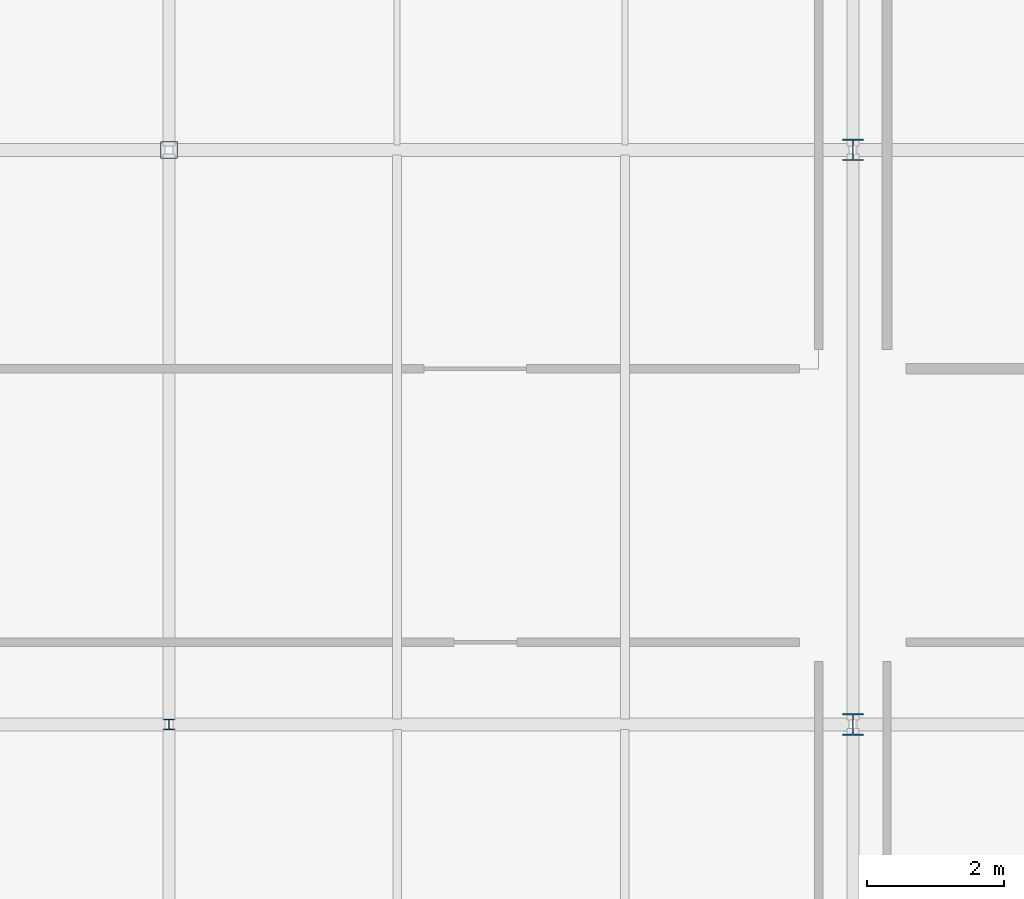
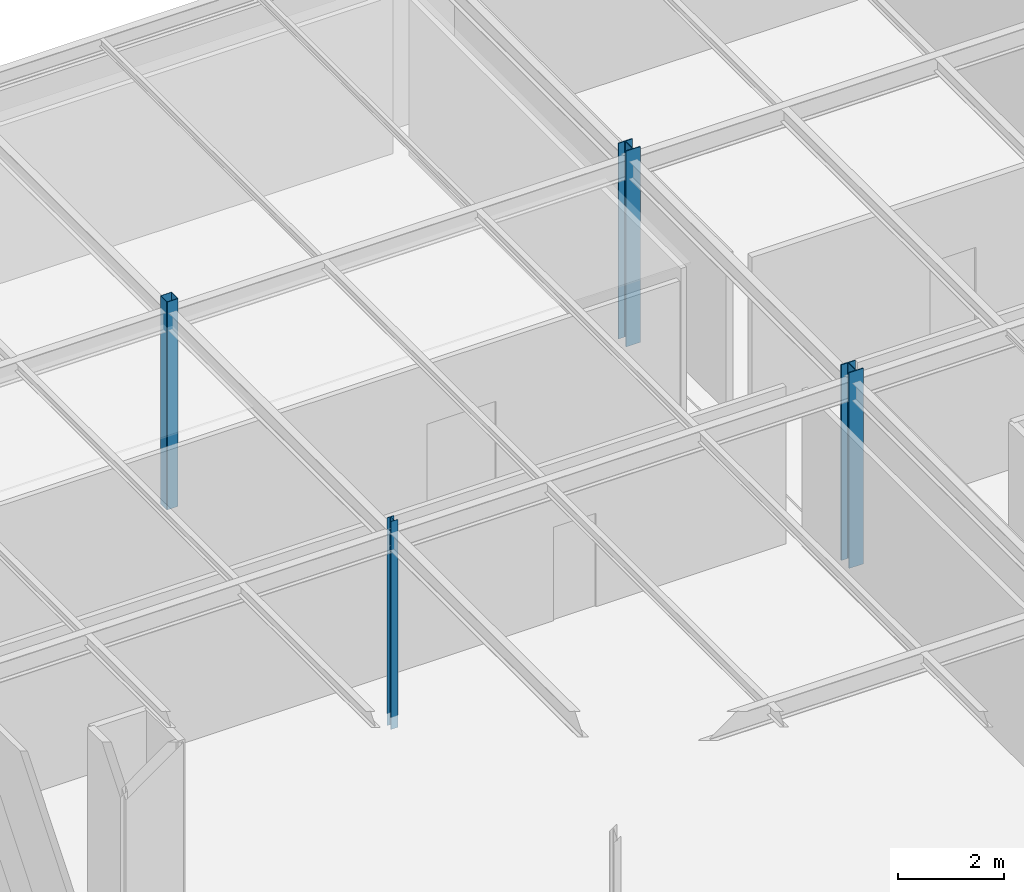
# One storey, part 21 of 119: 4 columns.
"""IFC4 building model written with IfcOpenShell, lengths in metres."""

from ifc_helpers import new_model, si_unit, derived_unit, direction, frame, origin, origin_2d_with_axis, place, context, subcontext, project, spatial, hollow_rectangle, i_section, extrude, material, material_profile, profile_set, type_object, element, save


model = new_model("IFC4")

# Units and contexts
model_context = context("Model", 3, precision=1e-05, world=origin(), true_north=direction((0.0, 1.0)))
body_context = subcontext(model_context, "Body", "Model", "MODEL_VIEW")
ifc_project = project(units=[si_unit("LENGTHUNIT", "METRE"), si_unit("AREAUNIT", "SQUARE_METRE"), si_unit("VOLUMEUNIT", "CUBIC_METRE"), si_unit("PLANEANGLEUNIT", "RADIAN"), si_unit("MASSUNIT", "GRAM", prefix="KILO"), derived_unit("THERMALTRANSMITTANCEUNIT", [(si_unit("POWERUNIT", "WATT"), 1), (si_unit("LENGTHUNIT", "METRE"), -2), (si_unit("THERMODYNAMICTEMPERATUREUNIT", "KELVIN"), -1)])], contexts=[model_context])

# Site, building, storey
site_placement = place(None, origin())
site = spatial("IfcSite", under=ifc_project, at=site_placement, CompositionType="ELEMENT")
building_placement = place(site_placement, origin())
building = spatial("IfcBuilding", under=site, at=building_placement, Name="Cinnabar Yard Market Hall", CompositionType="ELEMENT")
storey_placement = place(building_placement, origin())
storey = spatial("IfcBuildingStorey", under=building, at=storey_placement, Name="L00", CompositionType="ELEMENT", Elevation=0.0)

# Columns
ifc_material_1 = material(Name="Steel Grade 350 (350 MPa)", Category="steel")
ifc_material_profile_1 = material_profile(ifc_material_1, i_section(OverallWidth=0.30908203125, OverallDepth=0.320556640625, WebThickness=0.013916015625, FlangeThickness=0.021728515625, FilletRadius=0.0166015625, at=origin_2d_with_axis()), Name="310UC137")
ifc_profile_set_1 = profile_set([ifc_material_profile_1], Name="Steel Grade 350 (350 MPa)")
column_type_1 = type_object("IfcColumnType", Name="COL-C07", PredefinedType="COLUMN", material=ifc_profile_set_1)
column_1_placement = place(storey_placement, frame((86.0, 121.199951171875, 0.0), z_axis=(0.0, 0.0, 1.0), x_axis=(1.0, 0.0, 0.0)))
element("IfcColumn", 1, at=column_1_placement, inside=storey, type_object=column_type_1, Name="Wing Column V3-03-03 L00", PredefinedType="COLUMN", context=body_context, shape_type="SweptSolid", body=[
    extrude(i_section(OverallWidth=0.30908203125, OverallDepth=0.320556640625, WebThickness=0.013916015625, FlangeThickness=0.021728515625, FilletRadius=0.0166015625, at=origin_2d_with_axis()), origin(), (0.0, 0.0, 1.0), 4.5),
])
ifc_material_2 = material(Name="Steel Grade 300 (300 MPa)", Category="steel")
ifc_material_profile_2 = material_profile(ifc_material_2, i_section(OverallWidth=0.307373046875, OverallDepth=0.314697265625, WebThickness=0.011962890625, FlangeThickness=0.018798828125, FilletRadius=0.0166015625, at=origin_2d_with_axis()), Name="310UC118")
ifc_profile_set_2 = profile_set([ifc_material_profile_2], Name="Steel Grade 300 (300 MPa)")
column_type_2 = type_object("IfcColumnType", Name="COL-C08", PredefinedType="COLUMN", material=ifc_profile_set_2)
column_2_placement = place(storey_placement, frame((86.0, 129.60009765625, 0.0), z_axis=(0.0, 0.0, 1.0), x_axis=(1.0, 0.0, 0.0)))
element("IfcColumn", 2, at=column_2_placement, inside=storey, type_object=column_type_2, Name="Wing Column V3-03-04 L00", PredefinedType="COLUMN", context=body_context, shape_type="SweptSolid", body=[
    extrude(i_section(OverallWidth=0.307373046875, OverallDepth=0.314697265625, WebThickness=0.011962890625, FlangeThickness=0.018798828125, FilletRadius=0.0166015625, at=origin_2d_with_axis()), origin(), (0.0, 0.0, 1.0), 4.5),
])
ifc_material_profile_3 = material_profile(ifc_material_2, i_section(OverallWidth=0.152099609375, OverallDepth=0.15234375, WebThickness=0.005859375, FlangeThickness=0.0068359375, FilletRadius=0.0087890625, at=origin_2d_with_axis()), Name="150UC23.4")
ifc_profile_set_3 = profile_set([ifc_material_profile_3], Name="Steel Grade 300 (300 MPa)")
column_type_3 = type_object("IfcColumnType", Name="COL-C19", PredefinedType="COLUMN", material=ifc_profile_set_3)
column_3_placement = place(storey_placement, frame((76.0, 121.199951171875, -0.280029296875), z_axis=(0.0, 0.0, 1.0), x_axis=(1.0, 0.0, 0.0)))
element("IfcColumn", 3, at=column_3_placement, inside=storey, type_object=column_type_3, Name="Wing Column V3-02-03 L00", PredefinedType="COLUMN", context=body_context, shape_type="SweptSolid", body=[
    extrude(i_section(OverallWidth=0.152099609375, OverallDepth=0.15234375, WebThickness=0.005859375, FlangeThickness=0.0068359375, FilletRadius=0.0087890625, at=origin_2d_with_axis()), origin(), (0.0, 0.0, 1.0), 4.780029296875),
])
ifc_material_3 = material(Name="Cold-formed steel C350L0", Category="steel")
ifc_material_profile_4 = material_profile(ifc_material_3, hollow_rectangle(XDim=0.25, YDim=0.25, WallThickness=0.009033203125, InnerFilletRadius=0.009033203125, OuterFilletRadius=0.01806640625, at=origin_2d_with_axis()), Name="250x250x9.0SHS")
ifc_profile_set_4 = profile_set([ifc_material_profile_4], Name="Cold-formed steel C350L0")
column_type_4 = type_object("IfcColumnType", Name="COL-C20", PredefinedType="COLUMN", material=ifc_profile_set_4)
column_4_placement = place(storey_placement, frame((76.0, 129.60009765625, -0.280029296875), z_axis=(0.0, 0.0, 1.0), x_axis=(1.0, 0.0, 0.0)))
element("IfcColumn", 4, at=column_4_placement, inside=storey, type_object=column_type_4, Name="Wing Column V3-02-04 L00", PredefinedType="COLUMN", context=body_context, shape_type="SweptSolid", body=[
    extrude(hollow_rectangle(XDim=0.25, YDim=0.25, WallThickness=0.009033203125, InnerFilletRadius=0.009033203125, OuterFilletRadius=0.01806640625, at=origin_2d_with_axis()), origin(), (0.0, 0.0, 1.0), 4.780029296875),
])

save(model, "model.ifc")
